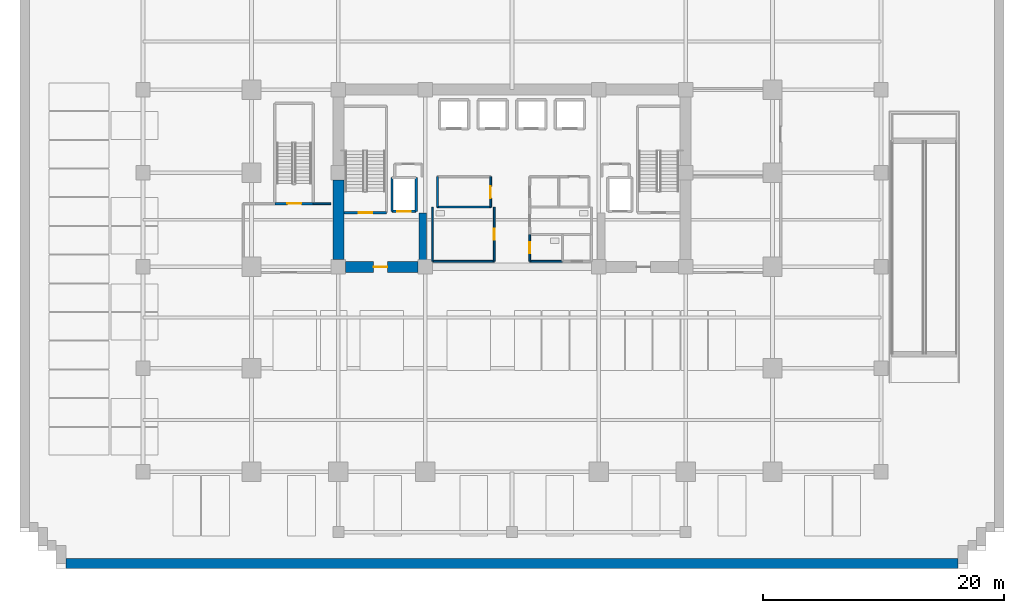
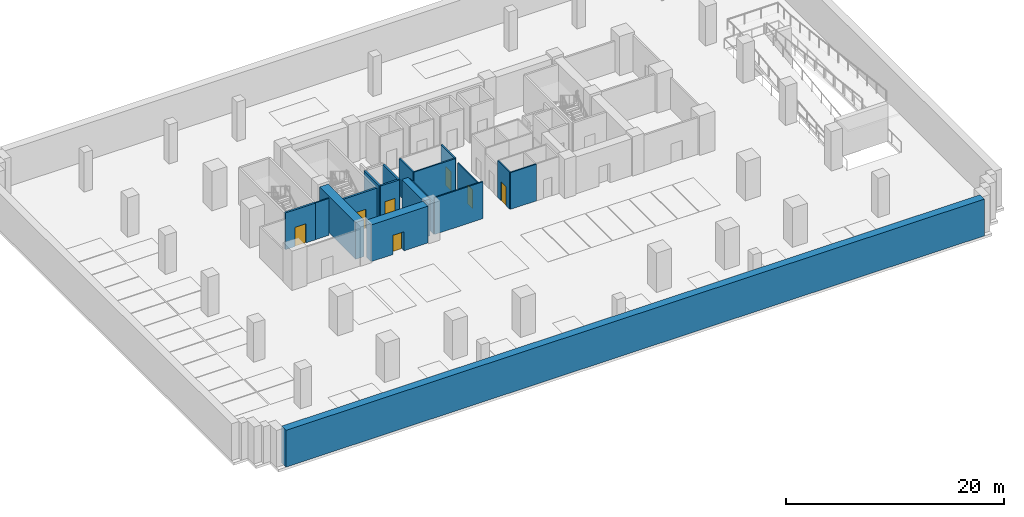
# One storey, part 3 of 13: 18 walls, 7 doors, 7 openings.
"""IFC4 building model written with IfcOpenShell, lengths in metres."""

import ifcopenshell
import ifcopenshell.guid

model = None  # the IFC model being written
_history = None  # IfcOwnerHistory: only IFC2X3 demands one
_inside = {}  # id of a spatial element -> (the spatial element, [elements in it])
_under = {}  # id of a project, library or spatial element -> (it, [spatial elements below it])
_declared = {}  # id of a project -> (the project, [libraries it declares])
_typed = {}  # id of a type object -> (the type object, [elements of that type])
_made_of = {}  # id of a material, layer set ... -> (it, [elements and type objects made of it])


def new_model(schema):
    """Start an empty IFC model of exactly this schema.

    Asked for "IFC4X3", IfcOpenShell would pick the latest addendum, in which some entities
    have other attributes; the version numbers below select the first issue.
    IFC2X3 requires an IfcOwnerHistory on every rooted entity: one is made here for all.
    """
    global model, _history
    if schema == "IFC4X3":
        model = ifcopenshell.file(schema_version=(4, 3, 0, 0))
    else:
        model = ifcopenshell.file(schema=schema)
    _inside.clear()
    _under.clear()
    _declared.clear()
    _typed.clear()
    _made_of.clear()
    _history = None
    if model.schema == "IFC2X3":
        org = make("IfcOrganization", Name="unknown")
        user = make(
            "IfcPersonAndOrganization",
            ThePerson=make("IfcPerson", FamilyName="unknown"),
            TheOrganization=org,
        )
        app = make(
            "IfcApplication",
            ApplicationDeveloper=org,
            Version="unknown",
            ApplicationFullName="unknown",
            ApplicationIdentifier="unknown",
        )
        _history = make(
            "IfcOwnerHistory",
            OwningUser=user,
            OwningApplication=app,
            ChangeAction="ADDED",
            CreationDate=0,
        )
    return model


def make(cls, **values):
    """One entity of the class cls with the attributes given. An attribute that is None is left unset."""
    return model.create_entity(
        cls, **{name: value for name, value in values.items() if value is not None}
    )


def rooted(cls, **values):
    """An entity with a GlobalId (a new one), such as an element, a storey or a relation."""
    return make(cls, GlobalId=ifcopenshell.guid.new(), OwnerHistory=_history, **values)


def si_unit(unit_type, name, prefix=None):
    """IfcSIUnit, for example si_unit("LENGTHUNIT", "METRE", prefix="MILLI")."""
    return make("IfcSIUnit", UnitType=unit_type, Prefix=prefix, Name=name)


def assignment(units):
    """IfcUnitAssignment: the units of a project."""
    return None if units is None else make("IfcUnitAssignment", Units=units)


def point(xyz):
    """IfcCartesianPoint."""
    return None if xyz is None else make("IfcCartesianPoint", Coordinates=xyz)


def direction(xyz):
    """IfcDirection."""
    return None if xyz is None else make("IfcDirection", DirectionRatios=xyz)


def frame(location, z_axis=None, x_axis=None):
    """IfcAxis2Placement3D, a coordinate frame: its origin and axes. An axis left out is left unset."""
    return make(
        "IfcAxis2Placement3D",
        Location=point(location),
        Axis=direction(z_axis),
        RefDirection=direction(x_axis),
    )


def frame_2d(location, x_axis=None):
    """IfcAxis2Placement2D, a coordinate frame in the plane: its origin and x axis."""
    return make(
        "IfcAxis2Placement2D", Location=point(location), RefDirection=direction(x_axis)
    )


def origin():
    """The frame at (0, 0, 0) with its axes left unset."""
    return frame((0.0, 0.0, 0.0))


def place(relative_to, where):
    """IfcLocalPlacement: puts the frame where relative to a parent placement (None: the world)."""
    return make(
        "IfcLocalPlacement", PlacementRelTo=relative_to, RelativePlacement=where
    )


def context(
    kind, dimensions, precision=None, world=None, true_north=None, identifier=None
):
    """IfcGeometricRepresentationContext, for example the 3D "Model" context."""
    return make(
        "IfcGeometricRepresentationContext",
        ContextIdentifier=identifier,
        ContextType=kind,
        CoordinateSpaceDimension=dimensions,
        Precision=precision,
        WorldCoordinateSystem=world,
        TrueNorth=true_north,
    )


def subcontext(parent, identifier, kind, view, scale=None):
    """IfcGeometricRepresentationSubContext, for example "Body" below "Model"."""
    return make(
        "IfcGeometricRepresentationSubContext",
        ContextIdentifier=identifier,
        ContextType=kind,
        ParentContext=parent,
        TargetScale=scale,
        TargetView=view,
    )


def project(units=None, contexts=None):
    """IfcProject with its units and contexts."""
    return rooted(
        "IfcProject",
        Name="project",
        RepresentationContexts=contexts,
        UnitsInContext=assignment(units),
    )


def spatial(cls, under=None, at=None, **own):
    """A site, building, storey or space (cls), placed at a placement, below another one or the project."""
    s = rooted(cls, ObjectPlacement=at, **own)
    if under is not None:
        _under.setdefault(under.id(), (under, []))[1].append(s)
    return s


def profile(cls, at=None, kind="AREA", **sizes):
    """A parametric profile (cls). Its sizes go by their IFC names, for example OverallWidth=200.0."""
    return make(cls, ProfileType=kind, Position=at, **sizes)


def rectangle(**sizes):
    """IfcRectangleProfileDef."""
    return profile("IfcRectangleProfileDef", **sizes)


def extrude(swept, where, along, depth):
    """IfcExtrudedAreaSolid: the profile swept, set in the frame where, extruded along a direction by depth."""
    return make(
        "IfcExtrudedAreaSolid",
        SweptArea=swept,
        Position=where,
        ExtrudedDirection=direction(along),
        Depth=depth,
    )


def shape(context_of_items, identifier, shape_type, items):
    """IfcShapeRepresentation: the items that make up one representation, for example the "Body"."""
    return make(
        "IfcShapeRepresentation",
        ContextOfItems=context_of_items,
        RepresentationIdentifier=identifier,
        RepresentationType=shape_type,
        Items=items,
    )


def source(mapping_origin, context_of_items, identifier, shape_type, items):
    """IfcRepresentationMap: a shape defined once, which mapped items show again and again."""
    return make(
        "IfcRepresentationMap",
        MappingOrigin=mapping_origin,
        MappedRepresentation=shape(context_of_items, identifier, shape_type, items),
    )


def transform(
    local_origin,
    x_axis=None,
    y_axis=None,
    z_axis=None,
    scale=None,
    scale2=None,
    scale3=None,
    uniform=True,
):
    """IfcCartesianTransformationOperator3D, or its non-uniform kind. x_axis, y_axis, z_axis: its Axis1, 2, 3."""
    if uniform:
        return make(
            "IfcCartesianTransformationOperator3D",
            Axis1=direction(x_axis),
            Axis2=direction(y_axis),
            LocalOrigin=point(local_origin),
            Scale=scale,
            Axis3=direction(z_axis),
        )
    return make(
        "IfcCartesianTransformationOperator3DnonUniform",
        Axis1=direction(x_axis),
        Axis2=direction(y_axis),
        LocalOrigin=point(local_origin),
        Scale=scale,
        Axis3=direction(z_axis),
        Scale2=scale2,
        Scale3=scale3,
    )


def mapped(mapping_source, mapping_target):
    """IfcMappedItem: shows the shape of a source again, moved by a transform."""
    return make(
        "IfcMappedItem", MappingSource=mapping_source, MappingTarget=mapping_target
    )


def material(Name=None, Category=None):
    """IfcMaterial."""
    return make("IfcMaterial", Name=Name, Category=Category)


def layer(
    of_material, thickness, ventilated=None, Name=None, Category=None, Priority=None
):
    """IfcMaterialLayer: one layer of a wall or slab, of a material (None: an air gap)."""
    return make(
        "IfcMaterialLayer",
        Material=of_material,
        LayerThickness=thickness,
        IsVentilated=ventilated,
        Name=Name,
        Category=Category,
        Priority=Priority,
    )


def layer_set(layers, Name=None):
    """IfcMaterialLayerSet."""
    return make("IfcMaterialLayerSet", MaterialLayers=layers, LayerSetName=Name)


def made_of(thing, what):
    """Note that an element or type object is made of a material, layer set ...; save() writes the relation."""
    if what is not None:
        _made_of.setdefault(what.id(), (what, []))[1].append(thing)
    return thing


def type_object(cls, material=None, **own):
    """A type object (cls), such as IfcWallType, which elements share."""
    return made_of(rooted(cls, **own), material)


def element(
    cls,
    number,
    at=None,
    inside=None,
    cuts=None,
    type_object=None,
    material=None,
    context=None,
    identifier="Body",
    shape_type=None,
    held_by="IfcProductDefinitionShape",
    body=None,
    shapes=None,
    **own,
):
    """One element of the class cls, such as IfcWall. Its Tag is "e" and its number.

    at: its placement. inside: the storey or other place that contains it. cuts: it is an
    opening in that element (IfcRelVoidsElement). A single representation is given by context,
    identifier, shape_type and body (its items); several are given by shapes. held_by: the class
    of the entity that holds the representations. save() writes the other relations.
    """
    e = rooted(cls, Tag="e%d" % number, ObjectPlacement=at, **own)
    if body is not None:
        shapes = [shape(context, identifier, shape_type, body)]
    if shapes is not None:
        e.Representation = make(held_by, Representations=shapes)
    if inside is not None:
        _inside.setdefault(inside.id(), (inside, []))[1].append(e)
    if cuts is not None:
        rooted(
            "IfcRelVoidsElement", RelatingBuildingElement=cuts, RelatedOpeningElement=e
        )
    if type_object is not None:
        _typed.setdefault(type_object.id(), (type_object, []))[1].append(e)
    return made_of(e, material)


def fill(opening, filler):
    """IfcRelFillsElement: the door or window that sits in an opening."""
    return rooted(
        "IfcRelFillsElement",
        RelatingOpeningElement=opening,
        RelatedBuildingElement=filler,
    )


def aggregate(whole, parts):
    """IfcRelAggregates: a whole, such as a stair, and the parts it consists of."""
    return rooted("IfcRelAggregates", RelatingObject=whole, RelatedObjects=parts)


def save(model, path):
    """Write the relations noted so far, then the file.

    IfcRelAggregates (storeys below a building ...), IfcRelContainedInSpatialStructure (elements
    in a storey), IfcRelDefinesByType, IfcRelAssociatesMaterial and IfcRelDeclares: one each for
    every whole, place, type object, material and project.
    """
    for whole, parts in _under.values():
        aggregate(whole, parts)
    for where, things in _inside.values():
        rooted(
            "IfcRelContainedInSpatialStructure",
            RelatedElements=things,
            RelatingStructure=where,
        )
    for kind, things in _typed.values():
        rooted("IfcRelDefinesByType", RelatedObjects=things, RelatingType=kind)
    for what, things in _made_of.values():
        rooted("IfcRelAssociatesMaterial", RelatedObjects=things, RelatingMaterial=what)
    for by, libraries in _declared.values():
        rooted("IfcRelDeclares", RelatingContext=by, RelatedDefinitions=libraries)
    model.write(path)


model = new_model("IFC4")

# Units and contexts
model_context = context("Model", 3, precision=1e-05, world=origin(), true_north=direction((0.0, 1.0)))
body_context = subcontext(model_context, "Body", "Model", "MODEL_VIEW")
ifc_project = project(units=[si_unit("LENGTHUNIT", "METRE"), si_unit("AREAUNIT", "SQUARE_METRE"), si_unit("VOLUMEUNIT", "CUBIC_METRE"), si_unit("PLANEANGLEUNIT", "RADIAN"), si_unit("MASSUNIT", "GRAM", prefix="KILO")], contexts=[model_context])

# Site, building, storey
site_placement = place(None, origin())
site = spatial("IfcSite", under=ifc_project, at=site_placement, CompositionType="ELEMENT")
building_placement = place(site_placement, origin())
building = spatial("IfcBuilding", under=site, at=building_placement, Name="Zarnakvel Exchange Tower", CompositionType="ELEMENT")
storey_placement = place(building_placement, frame((0.0, 0.0, -8.800048828125)))
storey = spatial("IfcBuildingStorey", under=building, at=storey_placement, Name="B02", CompositionType="ELEMENT", Elevation=-8.800048828125)

# Wall
ifc_material_1 = material(Name="Concrete C80/95", Category="concrete")
ifc_layer_1 = layer(ifc_material_1, 0.89990234375)
ifc_layer_set_1 = layer_set([ifc_layer_1], Name="Concrete C80/95")
wall_type_1 = type_object("IfcWallType", Name="CW-C1", PredefinedType="SHEAR", material=ifc_layer_set_1)
wall_1_placement = place(storey_placement, frame((-14.39990234375, -0.60009765625, 0.0), z_axis=(0.0, 0.0, 1.0), x_axis=(0.0, 1.0, 0.0)))
element("IfcWall", 1, at=wall_1_placement, inside=storey, type_object=wall_type_1, Name="B02 Rear Core Shear Wall W1 (CW-C1)", PredefinedType="SHEAR", context=body_context, shape_type="SweptSolid", body=[
    extrude(rectangle(XDim=6.60009765625, YDim=0.89990234375, at=frame_2d((3.300048828125, 0.0))), origin(), (0.0, 0.0, 1.0), 4.1201171875),
])

# Wall, opening, door
wall_2_placement = place(storey_placement, frame((-7.800048828125, -1.199951171875, 0.0), z_axis=(0.0, 0.0, 1.0), x_axis=(-1.0, 0.0, 0.0)))
wall_2 = element("IfcWall", 2, at=wall_2_placement, inside=storey, type_object=wall_type_1, Name="B02 Rear Core Shear Wall SW (CW-C1)", PredefinedType="SHEAR", context=body_context, shape_type="SweptSolid", body=[
    extrude(rectangle(XDim=6.0, YDim=0.89990234375, at=frame_2d((3.0, 0.0))), origin(), (0.0, 0.0, 1.0), 4.1201171875),
])
opening_1_placement = place(wall_2_placement, frame((2.52490234375, 0.0, 0.0)))
opening_1 = element("IfcOpeningElement", 3, at=opening_1_placement, cuts=wall_2, Name="Opening D-B02-03", PredefinedType="OPENING", context=body_context, shape_type="SweptSolid", body=[
    extrude(rectangle(XDim=1.14990234375, YDim=2.14990234375, at=frame_2d((0.574951171875, 1.074951171875))), frame((0.0, 0.4599609375, 0.0), z_axis=(0.0, -1.0, 0.0), x_axis=(1.0, 0.0, 0.0)), (0.0, 0.0, 1.0), 0.919921875),
])
ifc_material_2 = material(Name="Painted Galvanised Steel S355", Category="steel")
door_type_1 = type_object("IfcDoorType", Name="DT-04", OperationType="NOTDEFINED", PredefinedType="DOOR", material=ifc_material_2)
shared_shape_1 = source(origin(), body_context, "Body", "SweptSolid", [
    extrude(rectangle(XDim=1.14990234375, YDim=2.14990234375, at=frame_2d((0.574951171875, 1.074951171875))), frame((0.0, 0.02490234375, 0.0), z_axis=(0.0, -1.0, 0.0), x_axis=(1.0, 0.0, 0.0)), (0.0, 0.0, 1.0), 0.050048828125),
])
door_1_placement = place(opening_1_placement, origin())
door_1 = element("IfcDoor", 4, at=door_1_placement, inside=storey, type_object=door_type_1, Name="B02 Firefighting Lobby West Door D-B02-03", OperationType="SINGLE_SWING_LEFT", OverallHeight=2.14990234375, OverallWidth=1.14990234375, PredefinedType="DOOR", context=body_context, shape_type="MappedRepresentation", body=[
    mapped(shared_shape_1, transform((0.0, 0.0, 0.0), x_axis=(1.0, 0.0, 0.0), y_axis=(0.0, 1.0, 0.0), z_axis=(0.0, 0.0, 1.0), scale=1.0)),
])
fill(opening_1, door_1)

# Walls
ifc_layer_2 = layer(ifc_material_1, 0.64990234375)
ifc_layer_set_2 = layer_set([ifc_layer_2], Name="Concrete C80/95")
wall_type_2 = type_object("IfcWallType", Name="CW-C2", PredefinedType="SHEAR", material=ifc_layer_set_2)
wall_3_placement = place(storey_placement, frame((-7.39990234375, -0.75, 0.0), z_axis=(0.0, 0.0, 1.0), x_axis=(0.0, 1.0, 0.0)))
element("IfcWall", 5, at=wall_3_placement, inside=storey, type_object=wall_type_2, Name="B02 Rear Core Shear Wall IW (CW-C2)", PredefinedType="SHEAR", context=body_context, shape_type="SweptSolid", body=[
    extrude(rectangle(XDim=4.0, YDim=0.64990234375, at=frame_2d((2.0, 0.0))), origin(), (0.0, 0.0, 1.0), 4.1201171875),
])
ifc_material_3 = material(Name="Fire-Rated Gypsum Stud Partition", Category="gypsum")
ifc_layer_3 = layer(ifc_material_3, 0.14990234375)
ifc_layer_set_3 = layer_set([ifc_layer_3], Name="Fire-Rated Gypsum Stud Partition")
wall_type_3 = type_object("IfcWallType", Name="PT-01", PredefinedType="PARTITIONING", material=ifc_layer_set_3)
wall_4_placement = place(storey_placement, frame((-1.77001953125, 3.760009765625, 0.0), z_axis=(0.0, 0.0, 1.0), x_axis=(-1.0, 0.0, 0.0)))
element("IfcWall", 6, at=wall_4_placement, inside=storey, type_object=wall_type_3, Name="B02 Partition Wall PWALL-B02-013 (PT-01)", PredefinedType="PARTITIONING", context=body_context, shape_type="SweptSolid", body=[
    extrude(rectangle(XDim=4.409912109375, YDim=0.14990234375, at=frame_2d((2.205078125, 0.0))), origin(), (0.0, 0.0, 1.0), 4.1201171875),
])
wall_5_placement = place(storey_placement, frame((-6.179931640625, 3.760009765625, 0.0), z_axis=(0.0, 0.0, 1.0), x_axis=(0.0, 1.0, 0.0)))
element("IfcWall", 7, at=wall_5_placement, inside=storey, type_object=wall_type_3, Name="B02 Partition Wall PWALL-B02-015 (PT-01)", PredefinedType="PARTITIONING", context=body_context, shape_type="SweptSolid", body=[
    extrude(rectangle(XDim=2.52001953125, YDim=0.14990234375, at=frame_2d((1.260009765625, 0.0))), origin(), (0.0, 0.0, 1.0), 4.1201171875),
])

# Wall, opening, door
wall_6_placement = place(storey_placement, frame((-1.77001953125, 6.280029296875, 0.0), z_axis=(0.0, 0.0, 1.0), x_axis=(0.0, -1.0, 0.0)))
wall_6 = element("IfcWall", 8, at=wall_6_placement, inside=storey, type_object=wall_type_3, Name="B02 Partition Wall PWALL-B02-016 (PT-01)", PredefinedType="PARTITIONING", context=body_context, shape_type="SweptSolid", body=[
    extrude(rectangle(XDim=2.52001953125, YDim=0.14990234375, at=frame_2d((1.260009765625, 0.0))), origin(), (0.0, 0.0, 1.0), 4.1201171875),
])
opening_2_placement = place(wall_6_placement, frame((0.7900390625, 0.0, 0.0)))
opening_2 = element("IfcOpeningElement", 9, at=opening_2_placement, cuts=wall_6, Name="Opening D-B02-05", PredefinedType="OPENING", context=body_context, shape_type="SweptSolid", body=[
    extrude(rectangle(XDim=0.97998046875, YDim=2.14990234375, at=frame_2d((0.489990234375, 1.074951171875))), frame((0.0, 0.0849609375, 0.0), z_axis=(0.0, -1.0, 0.0), x_axis=(1.0, 0.0, 0.0)), (0.0, 0.0, 1.0), 0.169921875),
])
ifc_material_4 = material(Name="Timber Acoustic Veneer", Category="wood")
door_type_2 = type_object("IfcDoorType", Name="DT-05", OperationType="NOTDEFINED", PredefinedType="DOOR", material=ifc_material_4)
shared_shape_2 = source(origin(), body_context, "Body", "SweptSolid", [
    extrude(rectangle(XDim=0.97998046875, YDim=2.14990234375, at=frame_2d((0.489990234375, 1.074951171875))), frame((0.0, 0.02490234375, 0.0), z_axis=(0.0, -1.0, 0.0), x_axis=(1.0, 0.0, 0.0)), (0.0, 0.0, 1.0), 0.050048828125),
])
door_2_placement = place(opening_2_placement, origin())
door_2 = element("IfcDoor", 10, at=door_2_placement, inside=storey, type_object=door_type_2, Name="B02 Regulatory Archive Office Door D-B02-05", OperationType="SINGLE_SWING_LEFT", OverallHeight=2.14990234375, OverallWidth=0.97998046875, PredefinedType="DOOR", context=body_context, shape_type="MappedRepresentation", body=[
    mapped(shared_shape_2, transform((0.0, 0.0, 0.0), x_axis=(1.0, 0.0, 0.0), y_axis=(0.0, 1.0, 0.0), z_axis=(0.0, 0.0, 1.0), scale=1.0)),
])
fill(opening_2, door_2)

# Walls
wall_7_placement = place(storey_placement, frame((-16.489990234375, 4.030029296875, 0.0), z_axis=(0.0, 0.0, 1.0), x_axis=(1.0, 0.0, 0.0)))
element("IfcWall", 11, at=wall_7_placement, inside=storey, type_object=wall_type_3, Name="B02 Partition Wall PWALL-B02-041 (PT-01)", PredefinedType="PARTITIONING", context=body_context, shape_type="SweptSolid", body=[
    extrude(rectangle(XDim=1.469970703125, YDim=0.14990234375, at=frame_2d((0.73486328125, 0.0))), origin(), (0.0, 0.0, 1.0), 4.1201171875),
])
ifc_material_5 = material(Name="Moisture-Resistant Tile-Faced Partition", Category="gypsum")
ifc_layer_4 = layer(ifc_material_5, 0.135009765625)
ifc_layer_set_4 = layer_set([ifc_layer_4], Name="Moisture-Resistant Tile-Faced Partition")
wall_type_4 = type_object("IfcWallType", Name="PT-03", PredefinedType="PARTITIONING", material=ifc_layer_set_4)
wall_8_placement = place(storey_placement, frame((-1.469970703125, -0.72998046875, 0.0), z_axis=(0.0, 0.0, 1.0), x_axis=(-1.0, 0.0, 0.0)))
element("IfcWall", 12, at=wall_8_placement, inside=storey, type_object=wall_type_4, Name="B02 Partition Wall PWALL-B02-024 (PT-03)", PredefinedType="PARTITIONING", context=body_context, shape_type="SweptSolid", body=[
    extrude(rectangle(XDim=5.110107421875, YDim=0.135009765625, at=frame_2d((2.55517578125, 0.0))), origin(), (0.0, 0.0, 1.0), 4.1201171875),
])
wall_9_placement = place(storey_placement, frame((-6.580078125, -0.72998046875, 0.0), z_axis=(0.0, 0.0, 1.0), x_axis=(0.0, 1.0, 0.0)))
element("IfcWall", 13, at=wall_9_placement, inside=storey, type_object=wall_type_4, Name="B02 Partition Wall PWALL-B02-025 (PT-03)", PredefinedType="PARTITIONING", context=body_context, shape_type="SweptSolid", body=[
    extrude(rectangle(XDim=4.489990234375, YDim=0.135009765625, at=frame_2d((2.2451171875, 0.0))), origin(), (0.0, 0.0, 1.0), 3.492919921875),
])

# Wall, opening, door
wall_10_placement = place(storey_placement, frame((-1.469970703125, 3.760009765625, 0.0), z_axis=(0.0, 0.0, 1.0), x_axis=(0.0, -1.0, 0.0)))
wall_10 = element("IfcWall", 14, at=wall_10_placement, inside=storey, type_object=wall_type_4, Name="B02 Partition Wall PWALL-B02-026 (PT-03)", PredefinedType="PARTITIONING", context=body_context, shape_type="SweptSolid", body=[
    extrude(rectangle(XDim=4.489990234375, YDim=0.135009765625, at=frame_2d((2.2451171875, 0.0))), origin(), (0.0, 0.0, 1.0), 3.492919921875),
])
opening_3_placement = place(wall_10_placement, frame((1.800048828125, 0.0, 0.0)))
opening_3 = element("IfcOpeningElement", 15, at=opening_3_placement, cuts=wall_10, Name="Opening D-B02-08", PredefinedType="OPENING", context=body_context, shape_type="SweptSolid", body=[
    extrude(rectangle(XDim=0.919921875, YDim=2.10009765625, at=frame_2d((0.4599609375, 1.050048828125))), frame((0.0, 0.077392578125, 0.0), z_axis=(0.0, -1.0, 0.0), x_axis=(1.0, 0.0, 0.0)), (0.0, 0.0, 1.0), 0.155029296875),
])
ifc_material_6 = material(Name="Moisture-Resistant Laminate Timber", Category="wood")
door_type_3 = type_object("IfcDoorType", Name="DT-07", OperationType="NOTDEFINED", PredefinedType="DOOR", material=ifc_material_6)
shared_shape_3 = source(origin(), body_context, "Body", "SweptSolid", [
    extrude(rectangle(XDim=0.919921875, YDim=2.10009765625, at=frame_2d((0.4599609375, 1.050048828125))), frame((0.0, 0.02490234375, 0.0), z_axis=(0.0, -1.0, 0.0), x_axis=(1.0, 0.0, 0.0)), (0.0, 0.0, 1.0), 0.050048828125),
])
door_3_placement = place(opening_3_placement, origin())
door_3 = element("IfcDoor", 16, at=door_3_placement, inside=storey, type_object=door_type_3, Name="B02 Male Toilet Door D-B02-08", OperationType="SINGLE_SWING_RIGHT", OverallHeight=2.10009765625, OverallWidth=0.919921875, PredefinedType="DOOR", context=body_context, shape_type="MappedRepresentation", body=[
    mapped(shared_shape_3, transform((0.0, 0.0, 0.0), x_axis=(1.0, 0.0, 0.0), y_axis=(0.0, 1.0, 0.0), z_axis=(0.0, 0.0, 1.0), scale=1.0)),
])
fill(opening_3, door_3)

# Wall
wall_11_placement = place(storey_placement, frame((4.179931640625, -0.72998046875, 0.0), z_axis=(0.0, 0.0, 1.0), x_axis=(-1.0, 0.0, 0.0)))
element("IfcWall", 17, at=wall_11_placement, inside=storey, type_object=wall_type_4, Name="B02 Partition Wall PWALL-B02-030 (PT-03)", PredefinedType="PARTITIONING", context=body_context, shape_type="SweptSolid", body=[
    extrude(rectangle(XDim=2.7099609375, YDim=0.135009765625, at=frame_2d((1.35498046875, 0.0))), origin(), (0.0, 0.0, 1.0), 4.1201171875),
])

# Wall, opening, door
wall_12_placement = place(storey_placement, frame((1.469970703125, -0.72998046875, 0.0), z_axis=(0.0, 0.0, 1.0), x_axis=(0.0, 1.0, 0.0)))
wall_12 = element("IfcWall", 18, at=wall_12_placement, inside=storey, type_object=wall_type_4, Name="B02 Partition Wall PWALL-B02-031 (PT-03)", PredefinedType="PARTITIONING", context=body_context, shape_type="SweptSolid", body=[
    extrude(rectangle(XDim=2.2099609375, YDim=0.135009765625, at=frame_2d((1.10498046875, 0.0))), origin(), (0.0, 0.0, 1.0), 4.1201171875),
])
opening_4_placement = place(wall_12_placement, frame((0.64990234375, 0.0, 0.0)))
opening_4 = element("IfcOpeningElement", 19, at=opening_4_placement, cuts=wall_12, Name="Opening D-B02-10", PredefinedType="OPENING", context=body_context, shape_type="SweptSolid", body=[
    extrude(rectangle(XDim=0.919921875, YDim=2.10009765625, at=frame_2d((0.4599609375, 1.050048828125))), frame((0.0, 0.077392578125, 0.0), z_axis=(0.0, -1.0, 0.0), x_axis=(1.0, 0.0, 0.0)), (0.0, 0.0, 1.0), 0.155029296875),
])
door_4_placement = place(opening_4_placement, origin())
door_4 = element("IfcDoor", 20, at=door_4_placement, inside=storey, type_object=door_type_3, Name="B02 Accessible Toilet Door D-B02-10", OperationType="SINGLE_SWING_RIGHT", OverallHeight=2.10009765625, OverallWidth=0.919921875, PredefinedType="DOOR", context=body_context, shape_type="MappedRepresentation", body=[
    mapped(shared_shape_3, transform((0.0, 0.0, 0.0), x_axis=(1.0, 0.0, 0.0), y_axis=(0.0, 1.0, 0.0), z_axis=(0.0, 0.0, 1.0), scale=1.0)),
])
fill(opening_4, door_4)

# Wall
ifc_material_7 = material(Name="Concrete C50/60", Category="concrete")
ifc_layer_5 = layer(ifc_material_7, 0.800048828125)
ifc_layer_set_5 = layer_set([ifc_layer_5], Name="Concrete C50/60")
wall_type_5 = type_object("IfcWallType", Name="RW-01", PredefinedType="USERDEFINED", material=ifc_layer_set_5)
wall_13_placement = place(storey_placement, frame((37.0, -25.800048828125, 0.0), z_axis=(0.0, 0.0, 1.0), x_axis=(-1.0, 0.0, 0.0)))
element("IfcWall", 21, at=wall_13_placement, inside=storey, type_object=wall_type_5, Name="B02 Perimeter Retaining Wall RW-01 #16", ObjectType="RETAININGWALL", PredefinedType="USERDEFINED", context=body_context, shape_type="SweptSolid", body=[
    extrude(rectangle(XDim=74.0, YDim=0.800048828125, at=frame_2d((37.0, 0.0))), origin(), (0.0, 0.0, 1.0), 4.1201171875),
])

# Wall, opening, door
ifc_material_8 = material(Name="Concrete C40/50", Category="concrete")
ifc_layer_6 = layer(ifc_material_8, 0.199951171875)
ifc_layer_set_6 = layer_set([ifc_layer_6], Name="Concrete C40/50")
wall_type_6 = type_object("IfcWallType", Name="SW-01", PredefinedType="SOLIDWALL", material=ifc_layer_set_6)
wall_14_placement = place(storey_placement, frame((-7.949951171875, 3.39990234375, 0.0), z_axis=(0.0, 0.0, 1.0), x_axis=(-1.0, 0.0, 0.0)))
wall_14 = element("IfcWall", 22, at=wall_14_placement, inside=storey, type_object=wall_type_6, Name="B02 FL-01 Hoistway Wall South", PredefinedType="SOLIDWALL", context=body_context, shape_type="SweptSolid", body=[
    extrude(rectangle(XDim=2.0, YDim=0.199951171875, at=frame_2d((1.0, 0.0))), origin(), (0.0, 0.0, 1.0), 4.1201171875),
])
opening_5_placement = place(wall_14_placement, frame((0.449951171875, 0.0, 0.0)))
opening_5 = element("IfcOpeningElement", 23, at=opening_5_placement, cuts=wall_14, Name="Opening LD-FL-01-B02", PredefinedType="OPENING", context=body_context, shape_type="SweptSolid", body=[
    extrude(rectangle(XDim=1.10009765625, YDim=2.199951171875, at=frame_2d((0.550048828125, 1.10009765625))), frame((0.0, 0.10986328125, 0.0), z_axis=(0.0, -1.0, 0.0), x_axis=(1.0, 0.0, 0.0)), (0.0, 0.0, 1.0), 0.219970703125),
])
ifc_material_9 = material(Name="Brushed Stainless Steel", Category="steel")
door_type_4 = type_object("IfcDoorType", Name="LDT-01", OperationType="NOTDEFINED", PredefinedType="DOOR", material=ifc_material_9)
shared_shape_4 = source(origin(), body_context, "Body", "SweptSolid", [
    extrude(rectangle(XDim=1.10009765625, YDim=2.199951171875, at=frame_2d((0.550048828125, 1.10009765625))), frame((0.0, 0.02490234375, 0.0), z_axis=(0.0, -1.0, 0.0), x_axis=(1.0, 0.0, 0.0)), (0.0, 0.0, 1.0), 0.050048828125),
])
door_5_placement = place(opening_5_placement, origin())
door_5 = element("IfcDoor", 24, at=door_5_placement, inside=storey, type_object=door_type_4, Name="B02 FL-01 Lift Landing Door LD-FL-01-B02", OperationType="DOUBLE_DOOR_SLIDING", OverallHeight=2.199951171875, OverallWidth=1.10009765625, PredefinedType="DOOR", context=body_context, shape_type="MappedRepresentation", body=[
    mapped(shared_shape_4, transform((0.0, 0.0, 0.0), x_axis=(1.0, 0.0, 0.0), y_axis=(0.0, 1.0, 0.0), z_axis=(0.0, 0.0, 1.0), scale=1.0)),
])
fill(opening_5, door_5)

# Walls
for number, where, z_axis, x_axis, name in (
    (25, (-9.949951171875, 3.39990234375, 0.0), (0.0, 0.0, 1.0), (0.0, 1.0, 0.0), "B02 FL-01 Hoistway Wall West"),
    (26, (-7.949951171875, 6.199951171875, 0.0), (0.0, 0.0, 1.0), (0.0, -1.0, 0.0), "B02 FL-01 Hoistway Wall East"),
):
    element("IfcWall", number, at=place(storey_placement, frame(where, z_axis=z_axis, x_axis=x_axis)), inside=storey, type_object=wall_type_6, Name=name, PredefinedType="SOLIDWALL", context=body_context, shape_type="SweptSolid", body=[
        extrude(rectangle(XDim=2.800048828125, YDim=0.199951171875, at=frame_2d((1.39990234375, 0.0))), origin(), (0.0, 0.0, 1.0), 4.1201171875),
    ])

# Wall, opening, door
ifc_layer_7 = layer(ifc_material_8, 0.199951171875)
ifc_layer_set_7 = layer_set([ifc_layer_7], Name="Concrete C40/50")
wall_type_7 = type_object("IfcWallType", Name="SW-02", PredefinedType="SOLIDWALL", material=ifc_layer_set_7)
wall_15_placement = place(storey_placement, frame((-10.409912109375, 3.2900390625, 0.0), z_axis=(0.0, 0.0, 1.0), x_axis=(-1.0, 0.0, 0.0)))
wall_15 = element("IfcWall", 27, at=wall_15_placement, inside=storey, type_object=wall_type_7, Name="B02 Stairwell Core Wall PWALL-B02-001 (SW-02)", PredefinedType="SOLIDWALL", context=body_context, shape_type="SweptSolid", body=[
    extrude(rectangle(XDim=3.52001953125, YDim=0.199951171875, at=frame_2d((1.760009765625, 0.0))), origin(), (0.0, 0.0, 1.0), 4.1201171875),
])
opening_6_placement = place(wall_15_placement, frame((1.1650390625, 0.0, 0.0)))
opening_6 = element("IfcOpeningElement", 28, at=opening_6_placement, cuts=wall_15, Name="Opening D-B02-01", PredefinedType="OPENING", context=body_context, shape_type="SweptSolid", body=[
    extrude(rectangle(XDim=1.14990234375, YDim=2.14990234375, at=frame_2d((0.574951171875, 1.074951171875))), frame((0.0, 0.10986328125, 0.0), z_axis=(0.0, -1.0, 0.0), x_axis=(1.0, 0.0, 0.0)), (0.0, 0.0, 1.0), 0.219970703125),
])
door_6_placement = place(opening_6_placement, origin())
door_6 = element("IfcDoor", 29, at=door_6_placement, inside=storey, type_object=door_type_1, Name="B02 Stairwell ST-01 Door D-B02-01", OperationType="SINGLE_SWING_LEFT", OverallHeight=2.14990234375, OverallWidth=1.14990234375, PredefinedType="DOOR", context=body_context, shape_type="MappedRepresentation", body=[
    mapped(shared_shape_1, transform((0.0, 0.0, 0.0), x_axis=(1.0, 0.0, 0.0), y_axis=(0.0, 1.0, 0.0), z_axis=(0.0, 0.0, 1.0), scale=1.0)),
])
fill(opening_6, door_6)

wall_16_placement = place(storey_placement, frame((-16.489990234375, 4.0400390625, 0.0), z_axis=(0.0, 0.0, 1.0), x_axis=(-1.0, 0.0, 0.0)))
wall_16 = element("IfcWall", 30, at=wall_16_placement, inside=storey, type_object=wall_type_7, Name="B02 Stairwell Core Wall PWALL-B02-035 (SW-02)", PredefinedType="SOLIDWALL", context=body_context, shape_type="SweptSolid", body=[
    extrude(rectangle(XDim=3.169921875, YDim=0.199951171875, at=frame_2d((1.5849609375, 0.0))), origin(), (0.0, 0.0, 1.0), 4.1201171875),
])
opening_7_placement = place(wall_16_placement, frame((0.985107421875, 0.0, 0.0)))
opening_7 = element("IfcOpeningElement", 31, at=opening_7_placement, cuts=wall_16, Name="Opening D-B02-12", PredefinedType="OPENING", context=body_context, shape_type="SweptSolid", body=[
    extrude(rectangle(XDim=1.14990234375, YDim=2.14990234375, at=frame_2d((0.574951171875, 1.074951171875))), frame((0.0, 0.10986328125, 0.0), z_axis=(0.0, -1.0, 0.0), x_axis=(1.0, 0.0, 0.0)), (0.0, 0.0, 1.0), 0.219970703125),
])
door_7_placement = place(opening_7_placement, origin())
door_7 = element("IfcDoor", 32, at=door_7_placement, inside=storey, type_object=door_type_1, Name="B02 Stairwell ST-05 Door D-B02-12", OperationType="SINGLE_SWING_RIGHT", OverallHeight=2.14990234375, OverallWidth=1.14990234375, PredefinedType="DOOR", context=body_context, shape_type="MappedRepresentation", body=[
    mapped(shared_shape_1, transform((0.0, 0.0, 0.0), x_axis=(1.0, 0.0, 0.0), y_axis=(0.0, 1.0, 0.0), z_axis=(0.0, 0.0, 1.0), scale=1.0)),
])
fill(opening_7, door_7)

save(model, "model.ifc")
